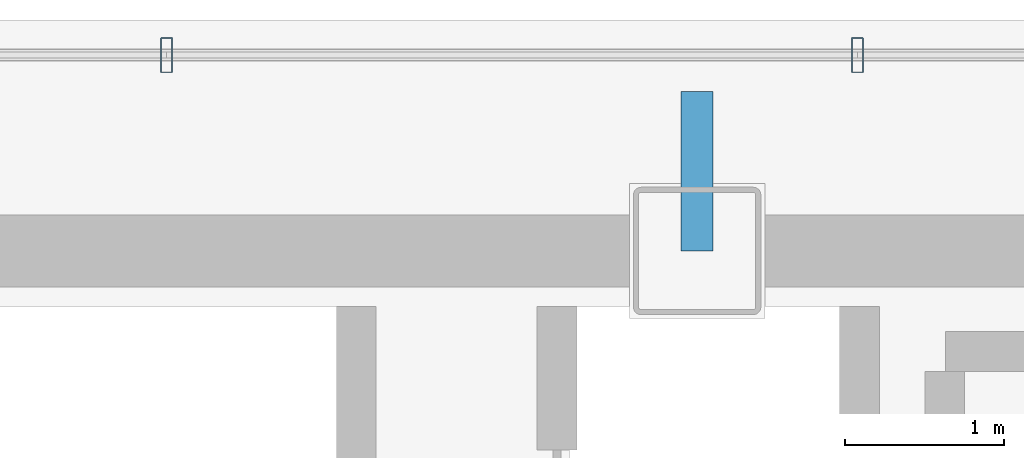
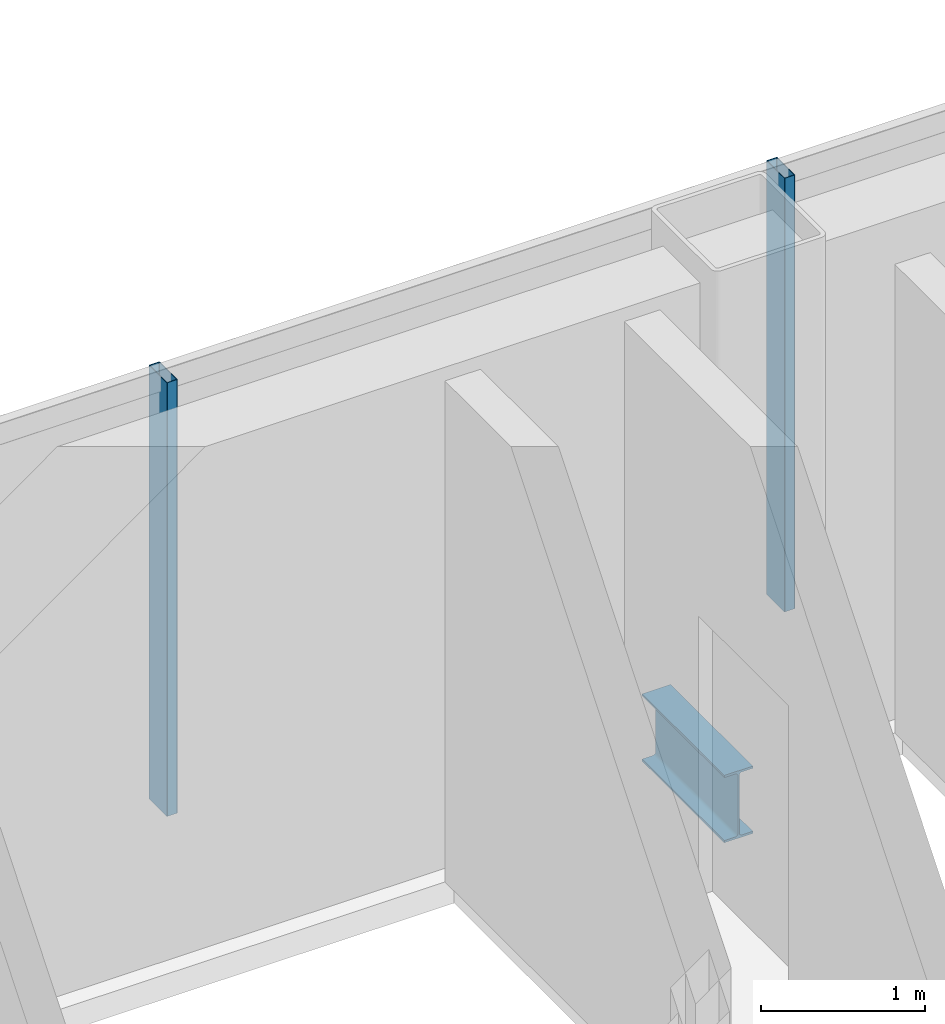
# One storey, part 9 of 15: 2 members, 1 beam, 1 element without a shape of its own.
"""IFC4 building model written with IfcOpenShell, lengths in metres."""

from ifc_helpers import new_model, si_unit, direction, frame, origin, origin_2d, place, context, subcontext, project, spatial, hollow_rectangle, i_section, extrude, material, material_profile, profile_set, type_object, element, aggregate, save


model = new_model("IFC4")

# Units and contexts
model_context = context("Model", 3, precision=1e-05, world=origin(), true_north=direction((0.0, 1.0)))
body_context = subcontext(model_context, "Body", "Model", "MODEL_VIEW")
ifc_project = project(units=[si_unit("LENGTHUNIT", "METRE"), si_unit("AREAUNIT", "SQUARE_METRE"), si_unit("VOLUMEUNIT", "CUBIC_METRE"), si_unit("PLANEANGLEUNIT", "RADIAN"), si_unit("MASSUNIT", "GRAM", prefix="KILO")], contexts=[model_context])

# Site, building, storey
site_placement = place(None, origin())
site = spatial("IfcSite", under=ifc_project, at=site_placement, CompositionType="ELEMENT")
building_placement = place(site_placement, origin())
building = spatial("IfcBuilding", under=site, at=building_placement, Name="Noeulbin Bourse Tower", CompositionType="ELEMENT")
storey_placement = place(building_placement, frame((0.0, 0.0, 218.89990234375)))
storey = spatial("IfcBuildingStorey", under=building, at=storey_placement, Name="L54", CompositionType="ELEMENT", Elevation=218.89990234375)

# Beam
ifc_material_1 = material(Name="Steel S355", Category="steel")
ifc_material_profile_1 = material_profile(ifc_material_1, i_section(OverallWidth=0.199951171875, OverallDepth=0.5, WebThickness=0.010009765625, FlangeThickness=0.01611328125, FilletRadius=0.02001953125, at=origin_2d()), Name="H-500x200x10x16", Category="LoadBearing")
ifc_profile_set_1 = profile_set([ifc_material_profile_1], Name="Steel S355")
beam_type = type_object("IfcBeamType", Name="BM-GRD-500", PredefinedType="USERDEFINED", material=ifc_profile_set_1)
beam_placement = place(storey_placement, frame((37.5, 38.300048828125, -0.429931640625), z_axis=(0.0, 1.0, 0.0), x_axis=(-1.0, 0.0, 0.0)))
element("IfcBeam", 1, at=beam_placement, inside=storey, type_object=beam_type, Name="Tower Primary Girder NS L54-4.4", ObjectType="GIRDER", PredefinedType="USERDEFINED", context=body_context, shape_type="SweptSolid", body=[
    extrude(i_section(OverallWidth=0.199951171875, OverallDepth=0.5, WebThickness=0.010009765625, FlangeThickness=0.01611328125, FilletRadius=0.02001953125, at=origin_2d()), origin(), (0.0, 0.0, 1.0), 1.0),
])

# Curtain wall, members
ifc_material_2 = material(Name="High-Selectivity Low-Iron Glazing", Category="glass")
curtain_wall_type = type_object("IfcCurtainWallType", Name="CW-SYS-4", PredefinedType="NOTDEFINED", material=ifc_material_2)
curtain_wall_placement = place(storey_placement, origin())
curtain_wall = element("IfcCurtainWall", 2, at=curtain_wall_placement, inside=storey, type_object=curtain_wall_type, Name="Unitised Curtain Wall CW-L54-N", PredefinedType="NOTDEFINED")
ifc_material_3 = material(Name="Anodised Aluminium 6063-T6", Category="aluminium")
ifc_material_profile_2 = material_profile(ifc_material_3, hollow_rectangle(XDim=0.074951171875, YDim=0.219970703125, WallThickness=0.0048828125, InnerFilletRadius=0.00244140625, OuterFilletRadius=0.0048828125, at=origin_2d()), Name="ALU-MULL-75x220x5", Category="LoadBearing")
ifc_profile_set_2 = profile_set([ifc_material_profile_2], Name="Anodised Aluminium 6063-T6")
member_type = type_object("IfcMemberType", Name="CW-SYS-4-MUL", PredefinedType="MULLION", material=ifc_profile_set_2)
member_1_placement = place(storey_placement, frame((34.1689453125, 39.530029296875, -0.02001953125), z_axis=(0.0, 0.0, 1.0), x_axis=(1.0, 0.0, 0.0)))
member_1 = element("IfcMember", 3, at=member_1_placement, type_object=member_type, Name="Curtain Wall Mullion CW-L54-N-M05", PredefinedType="MULLION", context=body_context, shape_type="SweptSolid", body=[
    extrude(hollow_rectangle(XDim=0.074951171875, YDim=0.219970703125, WallThickness=0.0048828125, InnerFilletRadius=0.00244140625, OuterFilletRadius=0.0048828125, at=origin_2d()), origin(), (0.0, 0.0, 1.0), 3.22021484375),
])
member_2_placement = place(storey_placement, frame((38.506591796875, 39.530029296875, -0.02001953125), z_axis=(0.0, 0.0, 1.0), x_axis=(1.0, 0.0, 0.0)))
member_2 = element("IfcMember", 4, at=member_2_placement, type_object=member_type, Name="Curtain Wall Mullion CW-L54-N-M06", PredefinedType="MULLION", context=body_context, shape_type="SweptSolid", body=[
    extrude(hollow_rectangle(XDim=0.074951171875, YDim=0.219970703125, WallThickness=0.0048828125, InnerFilletRadius=0.00244140625, OuterFilletRadius=0.0048828125, at=origin_2d()), origin(), (0.0, 0.0, 1.0), 3.22021484375),
])
aggregate(curtain_wall, [member_1, member_2])

save(model, "model.ifc")
